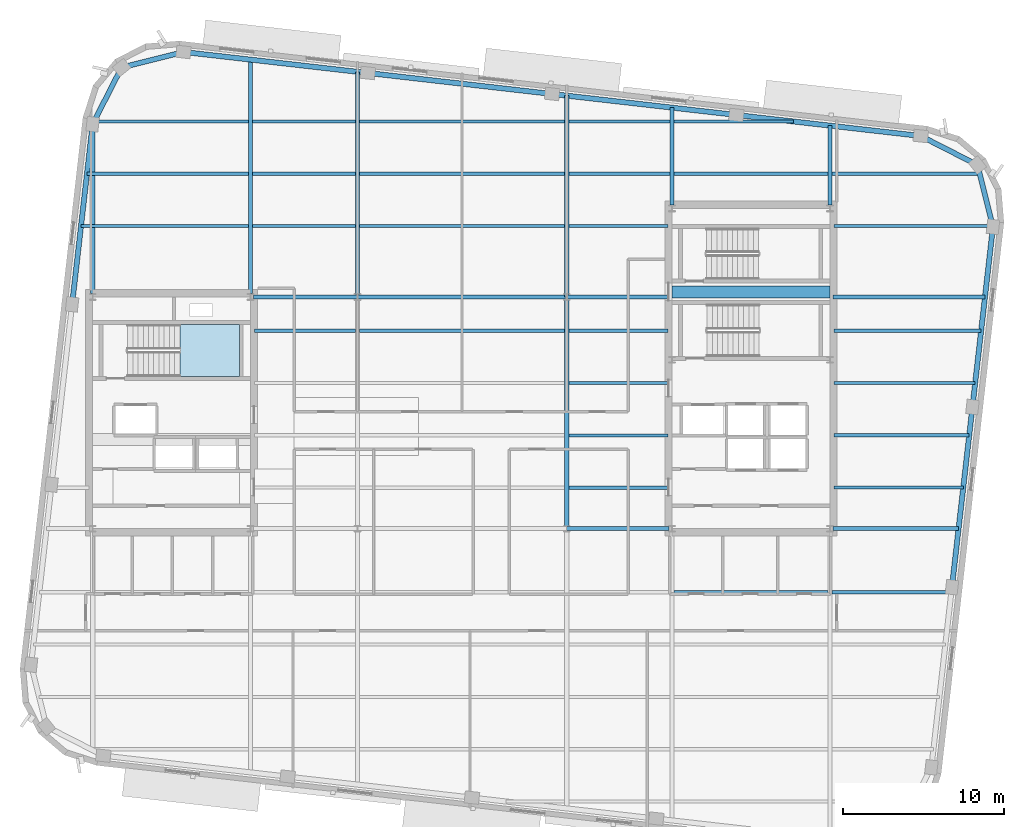
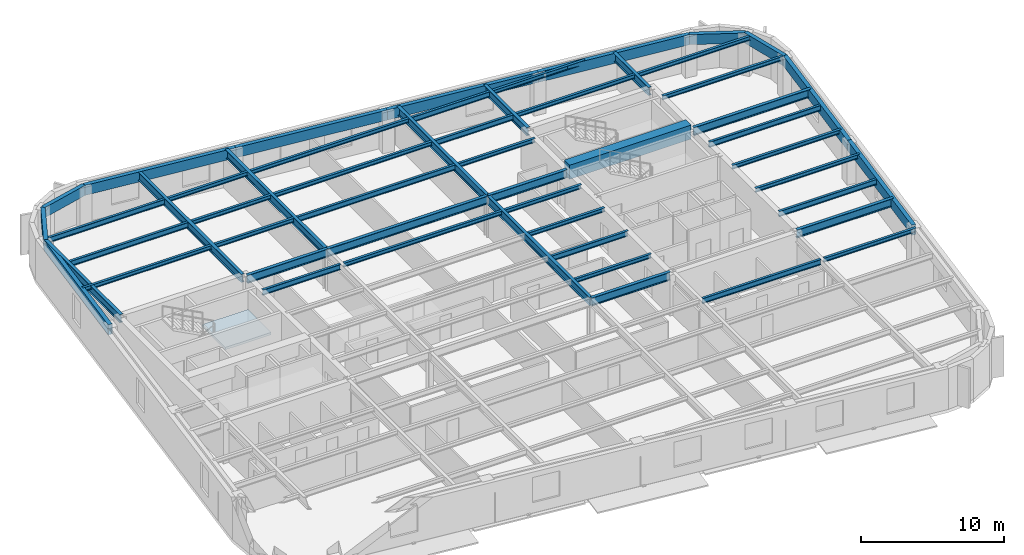
# One storey, part 4 of 14: 53 beams, 1 slab, 1 element without a shape of its own.
"""IFC4 building model written with IfcOpenShell, lengths in metres."""

from ifc_helpers import new_model, si_unit, direction, frame, origin, origin_2d, place, context, subcontext, project, spatial, polyline, rectangle, hollow_rectangle, i_section, outline, extrude, material, layer, layer_set, material_profile, profile_set, type_object, element, aggregate, save


model = new_model("IFC4")

# Units and contexts
model_context = context("Model", 3, precision=1e-05, world=origin(), true_north=direction((0.0, 1.0)))
body_context = subcontext(model_context, "Body", "Model", "MODEL_VIEW")
ifc_project = project(units=[si_unit("LENGTHUNIT", "METRE"), si_unit("AREAUNIT", "SQUARE_METRE"), si_unit("VOLUMEUNIT", "CUBIC_METRE"), si_unit("PLANEANGLEUNIT", "RADIAN"), si_unit("MASSUNIT", "GRAM", prefix="KILO")], contexts=[model_context])

# Site, building, storey
site_placement = place(None, origin())
site = spatial("IfcSite", under=ifc_project, at=site_placement, CompositionType="ELEMENT")
building_placement = place(site_placement, origin())
building = spatial("IfcBuilding", under=site, at=building_placement, Name="Kolvaren Arena Tower", CompositionType="ELEMENT")
storey_placement = place(building_placement, frame((0.0, 0.0, 224.699951171875)))
storey = spatial("IfcBuildingStorey", under=building, at=storey_placement, Name="L54", CompositionType="ELEMENT", Elevation=224.699951171875)

# Beams
ifc_material_1 = material(Name="Steel CSA G40.21 350W", Category="steel")
ifc_material_profile_1 = material_profile(ifc_material_1, i_section(OverallWidth=0.193115234375, OverallDepth=0.462890625, WebThickness=0.0107421875, FlangeThickness=0.0205078125, FilletRadius=0.012939453125, at=origin_2d()), Name="W460x113")
ifc_profile_set_1 = profile_set([ifc_material_profile_1], Name="Steel CSA G40.21 350W")
beam_type_1 = type_object("IfcBeamType", Name="BEAM-F2", PredefinedType="BEAM", material=ifc_profile_set_1)
beam_1_placement = place(storey_placement, frame((50.677490234375, 15.5, 3.24853515625), z_axis=(1.0, 0.0, 0.0), x_axis=(0.0, 1.0, 0.0)))
element("IfcBeam", 1, at=beam_1_placement, inside=storey, type_object=beam_type_1, Name="Composite Floor Beam (L54)", PredefinedType="BEAM", context=body_context, shape_type="SweptSolid", body=[
    extrude(i_section(OverallWidth=0.193115234375, OverallDepth=0.462890625, WebThickness=0.0107421875, FlangeThickness=0.0205078125, FilletRadius=0.012939453125, at=origin_2d()), origin(), (0.0, 0.0, 1.0), 9.544921875),
])
beam_2_placement = place(storey_placement, frame((60.594970703125, 22.0, 3.24853515625), z_axis=(1.0, 0.0, 0.0), x_axis=(0.0, 1.0, 0.0)))
element("IfcBeam", 2, at=beam_2_placement, inside=storey, type_object=beam_type_1, Name="Composite Floor Beam (L54)", PredefinedType="BEAM", context=body_context, shape_type="SweptSolid", body=[
    extrude(i_section(OverallWidth=0.193115234375, OverallDepth=0.462890625, WebThickness=0.0107421875, FlangeThickness=0.0205078125, FilletRadius=0.012939453125, at=origin_2d()), origin(), (0.0, 0.0, 1.0), 8.041015625),
])
beam_3_placement = place(storey_placement, frame((44.12744140625, 25.25, 3.24853515625), z_axis=(1.0, 0.0, 0.0), x_axis=(0.0, 1.0, 0.0)))
element("IfcBeam", 3, at=beam_3_placement, inside=storey, type_object=beam_type_1, Name="Composite Floor Beam (L54)", PredefinedType="BEAM", context=body_context, shape_type="SweptSolid", body=[
    extrude(i_section(OverallWidth=0.193115234375, OverallDepth=0.462890625, WebThickness=0.0107421875, FlangeThickness=0.0205078125, FilletRadius=0.012939453125, at=origin_2d()), origin(), (0.0, 0.0, 1.0), 6.177490234375),
])
beam_4_placement = place(storey_placement, frame((24.594970703125, 31.75, 3.24853515625), z_axis=(1.0, 0.0, 0.0), x_axis=(0.0, 1.0, 0.0)))
element("IfcBeam", 4, at=beam_4_placement, inside=storey, type_object=beam_type_1, Name="Composite Floor Beam (L54)", PredefinedType="BEAM", context=body_context, shape_type="SweptSolid", body=[
    extrude(i_section(OverallWidth=0.193115234375, OverallDepth=0.462890625, WebThickness=0.0107421875, FlangeThickness=0.0205078125, FilletRadius=0.012939453125, at=origin_2d()), origin(), (0.0, 0.0, 1.0), 6.277587890625),
])
beam_5_placement = place(storey_placement, frame((60.594970703125, 31.75, 3.24853515625), z_axis=(1.0, 0.0, 0.0), x_axis=(0.0, 1.0, 0.0)))
element("IfcBeam", 5, at=beam_5_placement, inside=storey, type_object=beam_type_1, Name="Composite Floor Beam (L54)", PredefinedType="BEAM", context=body_context, shape_type="SweptSolid", body=[
    extrude(i_section(OverallWidth=0.193115234375, OverallDepth=0.462890625, WebThickness=0.0107421875, FlangeThickness=0.0205078125, FilletRadius=0.012939453125, at=origin_2d()), origin(), (0.0, 0.0, 1.0), 9.15185546875),
])
beam_6_placement = place(storey_placement, frame((31.12744140625, 38.25, 3.24853515625), z_axis=(1.0, 0.0, 0.0), x_axis=(0.0, 1.0, 0.0)))
element("IfcBeam", 6, at=beam_6_placement, inside=storey, type_object=beam_type_1, Name="Composite Floor Beam (L54)", PredefinedType="BEAM", context=body_context, shape_type="SweptSolid", body=[
    extrude(i_section(OverallWidth=0.193115234375, OverallDepth=0.462890625, WebThickness=0.0107421875, FlangeThickness=0.0205078125, FilletRadius=0.012939453125, at=origin_2d()), origin(), (0.0, 0.0, 1.0), 12.7451171875),
])
beam_7_placement = place(storey_placement, frame((14.193359375, 41.5, 3.24853515625), z_axis=(1.0, 0.0, 0.0), x_axis=(0.0, 1.0, 0.0)))
element("IfcBeam", 7, at=beam_7_placement, inside=storey, type_object=beam_type_1, Name="Composite Floor Beam (L54)", PredefinedType="BEAM", context=body_context, shape_type="SweptSolid", body=[
    extrude(i_section(OverallWidth=0.193115234375, OverallDepth=0.462890625, WebThickness=0.0107421875, FlangeThickness=0.0205078125, FilletRadius=0.012939453125, at=origin_2d()), origin(), (0.0, 0.0, 1.0), 10.029052734375),
])
beam_8_placement = place(storey_placement, frame((44.12744140625, 41.5, 3.24853515625), z_axis=(1.0, 0.0, 0.0), x_axis=(0.0, 1.0, 0.0)))
element("IfcBeam", 8, at=beam_8_placement, inside=storey, type_object=beam_type_1, Name="Composite Floor Beam (L54)", PredefinedType="BEAM", context=body_context, shape_type="SweptSolid", body=[
    extrude(i_section(OverallWidth=0.193115234375, OverallDepth=0.462890625, WebThickness=0.0107421875, FlangeThickness=0.0205078125, FilletRadius=0.012939453125, at=origin_2d()), origin(), (0.0, 0.0, 1.0), 6.295166015625),
])
beam_9_placement = place(storey_placement, frame((14.632080078125, 44.75, 3.24853515625), z_axis=(1.0, 0.0, 0.0), x_axis=(0.0, 1.0, 0.0)))
element("IfcBeam", 9, at=beam_9_placement, inside=storey, type_object=beam_type_1, Name="Composite Floor Beam (L54)", PredefinedType="BEAM", context=body_context, shape_type="SweptSolid", body=[
    extrude(i_section(OverallWidth=0.193115234375, OverallDepth=0.462890625, WebThickness=0.0107421875, FlangeThickness=0.0205078125, FilletRadius=0.012939453125, at=origin_2d()), origin(), (0.0, 0.0, 1.0), 9.59033203125),
])
beam_10_placement = place(storey_placement, frame((44.12744140625, 44.75, 3.24853515625), z_axis=(1.0, 0.0, 0.0), x_axis=(0.0, 1.0, 0.0)))
element("IfcBeam", 10, at=beam_10_placement, inside=storey, type_object=beam_type_1, Name="Composite Floor Beam (L54)", PredefinedType="BEAM", context=body_context, shape_type="SweptSolid", body=[
    extrude(i_section(OverallWidth=0.193115234375, OverallDepth=0.462890625, WebThickness=0.0107421875, FlangeThickness=0.0205078125, FilletRadius=0.012939453125, at=origin_2d()), origin(), (0.0, 0.0, 1.0), 6.295166015625),
])
ifc_material_2 = material(Name="Concrete 60 MPa", Category="concrete")
ifc_material_profile_2 = material_profile(ifc_material_2, rectangle(XDim=0.75, YDim=1.199951171875, at=origin_2d()), Name="RC-750x1200")
ifc_profile_set_2 = profile_set([ifc_material_profile_2], Name="Concrete 60 MPa")
beam_type_2 = type_object("IfcBeamType", Name="CB-CORE-2", PredefinedType="BEAM", material=ifc_profile_set_2)
beam_11_placement = place(storey_placement, frame((50.550048828125, 34.14990234375, 3.150146484375), z_axis=(1.0, 0.0, 0.0), x_axis=(0.0, 1.0, 0.0)))
element("IfcBeam", 11, at=beam_11_placement, inside=storey, type_object=beam_type_2, Name="East Core Coupling Beam (L54)", PredefinedType="BEAM", context=body_context, shape_type="SweptSolid", body=[
    extrude(rectangle(XDim=0.75, YDim=1.199951171875, at=origin_2d()), origin(), (0.0, 0.0, 1.0), 9.800048828125),
])
ifc_material_profile_3 = material_profile(ifc_material_1, i_section(OverallWidth=0.2548828125, OverallDepth=0.695068359375, WebThickness=0.01708984375, FlangeThickness=0.02978515625, FilletRadius=0.01611328125, at=origin_2d()), Name="W690x217")
ifc_profile_set_3 = profile_set([ifc_material_profile_3], Name="Steel CSA G40.21 350W")
beam_type_3 = type_object("IfcBeamType", Name="GIRD-T2", PredefinedType="BEAM", material=ifc_profile_set_3)
beam_12_placement = place(storey_placement, frame((44.0, 19.449951171875, 3.132568359375), z_axis=(1.0, 0.0, 0.0), x_axis=(0.0, 1.0, 0.0)))
element("IfcBeam", 12, at=beam_12_placement, inside=storey, type_object=beam_type_3, Name="Primary Floor Girder (L54)", PredefinedType="BEAM", context=body_context, shape_type="SweptSolid", body=[
    extrude(i_section(OverallWidth=0.2548828125, OverallDepth=0.695068359375, WebThickness=0.01708984375, FlangeThickness=0.02978515625, FilletRadius=0.01611328125, at=origin_2d()), origin(), (0.0, 0.0, 1.0), 6.344970703125),
])
beam_13_placement = place(storey_placement, frame((60.554931640625, 19.449951171875, 3.132568359375), z_axis=(1.0, 0.0, 0.0), x_axis=(0.0, 1.0, 0.0)))
element("IfcBeam", 13, at=beam_13_placement, inside=storey, type_object=beam_type_3, Name="Primary Floor Girder (L54)", PredefinedType="BEAM", context=body_context, shape_type="SweptSolid", body=[
    extrude(i_section(OverallWidth=0.2548828125, OverallDepth=0.695068359375, WebThickness=0.01708984375, FlangeThickness=0.02978515625, FilletRadius=0.01611328125, at=origin_2d()), origin(), (0.0, 0.0, 1.0), 7.790283203125),
])
beam_14_placement = place(storey_placement, frame((24.554931640625, 33.85009765625, 3.132568359375), z_axis=(1.0, 0.0, 0.0), x_axis=(0.0, 1.0, 0.0)))
element("IfcBeam", 14, at=beam_14_placement, inside=storey, type_object=beam_type_3, Name="Primary Floor Girder (L54)", PredefinedType="BEAM", context=body_context, shape_type="SweptSolid", body=[
    extrude(i_section(OverallWidth=0.2548828125, OverallDepth=0.695068359375, WebThickness=0.01708984375, FlangeThickness=0.02978515625, FilletRadius=0.01611328125, at=origin_2d()), origin(), (0.0, 0.0, 1.0), 6.445068359375),
])
beam_15_placement = place(storey_placement, frame((31.0, 33.85009765625, 3.132568359375), z_axis=(1.0, 0.0, 0.0), x_axis=(0.0, 1.0, 0.0)))
element("IfcBeam", 15, at=beam_15_placement, inside=storey, type_object=beam_type_3, Name="Primary Floor Girder (L54)", PredefinedType="BEAM", context=body_context, shape_type="SweptSolid", body=[
    extrude(i_section(OverallWidth=0.2548828125, OverallDepth=0.695068359375, WebThickness=0.01708984375, FlangeThickness=0.02978515625, FilletRadius=0.01611328125, at=origin_2d()), origin(), (0.0, 0.0, 1.0), 13.0),
])
beam_16_placement = place(storey_placement, frame((44.0, 33.85009765625, 3.132568359375), z_axis=(1.0, 0.0, 0.0), x_axis=(0.0, 1.0, 0.0)))
element("IfcBeam", 16, at=beam_16_placement, inside=storey, type_object=beam_type_3, Name="Primary Floor Girder (L54)", PredefinedType="BEAM", context=body_context, shape_type="SweptSolid", body=[
    extrude(i_section(OverallWidth=0.2548828125, OverallDepth=0.695068359375, WebThickness=0.01708984375, FlangeThickness=0.02978515625, FilletRadius=0.01611328125, at=origin_2d()), origin(), (0.0, 0.0, 1.0), 6.344970703125),
])
beam_17_placement = place(storey_placement, frame((60.554931640625, 33.85009765625, 3.132568359375), z_axis=(1.0, 0.0, 0.0), x_axis=(0.0, 1.0, 0.0)))
element("IfcBeam", 17, at=beam_17_placement, inside=storey, type_object=beam_type_3, Name="Primary Floor Girder (L54)", PredefinedType="BEAM", context=body_context, shape_type="SweptSolid", body=[
    extrude(i_section(OverallWidth=0.2548828125, OverallDepth=0.695068359375, WebThickness=0.01708984375, FlangeThickness=0.02978515625, FilletRadius=0.01611328125, at=origin_2d()), origin(), (0.0, 0.0, 1.0), 9.43115234375),
])
beam_18_placement = place(storey_placement, frame((14.550048828125, 34.054931640625, 3.132568359375), z_axis=(0.0, 1.0, 0.0), x_axis=(-1.0, 0.0, 0.0)))
element("IfcBeam", 18, at=beam_18_placement, inside=storey, type_object=beam_type_3, Name="Primary Floor Girder (L54)", PredefinedType="BEAM", context=body_context, shape_type="SweptSolid", body=[
    extrude(i_section(OverallWidth=0.2548828125, OverallDepth=0.695068359375, WebThickness=0.01708984375, FlangeThickness=0.02978515625, FilletRadius=0.01611328125, at=origin_2d()), origin(), (0.0, 0.0, 1.0), 10.53466796875),
])
beam_19_placement = place(storey_placement, frame((24.35009765625, 34.054931640625, 3.132568359375), z_axis=(0.0, 1.0, 0.0), x_axis=(-1.0, 0.0, 0.0)))
element("IfcBeam", 19, at=beam_19_placement, inside=storey, type_object=beam_type_3, Name="Primary Floor Girder (L54)", PredefinedType="BEAM", context=body_context, shape_type="SweptSolid", body=[
    extrude(i_section(OverallWidth=0.2548828125, OverallDepth=0.695068359375, WebThickness=0.01708984375, FlangeThickness=0.02978515625, FilletRadius=0.01611328125, at=origin_2d()), origin(), (0.0, 0.0, 1.0), 14.538818359375),
])
beam_20_placement = place(storey_placement, frame((31.0, 33.85009765625, 3.132568359375), z_axis=(0.0, 1.0, 0.0), x_axis=(-1.0, 0.0, 0.0)))
element("IfcBeam", 20, at=beam_20_placement, inside=storey, type_object=beam_type_3, Name="Primary Floor Girder (L54)", PredefinedType="BEAM", context=body_context, shape_type="SweptSolid", body=[
    extrude(i_section(OverallWidth=0.2548828125, OverallDepth=0.695068359375, WebThickness=0.01708984375, FlangeThickness=0.02978515625, FilletRadius=0.01611328125, at=origin_2d()), origin(), (0.0, 0.0, 1.0), 13.986083984375),
])
beam_21_placement = place(storey_placement, frame((44.0, 19.449951171875, 3.132568359375), z_axis=(0.0, 1.0, 0.0), x_axis=(-1.0, 0.0, 0.0)))
element("IfcBeam", 21, at=beam_21_placement, inside=storey, type_object=beam_type_3, Name="Primary Floor Girder (L54)", PredefinedType="BEAM", context=body_context, shape_type="SweptSolid", body=[
    extrude(i_section(OverallWidth=0.2548828125, OverallDepth=0.695068359375, WebThickness=0.01708984375, FlangeThickness=0.02978515625, FilletRadius=0.01611328125, at=origin_2d()), origin(), (0.0, 0.0, 1.0), 14.400146484375),
])
beam_22_placement = place(storey_placement, frame((44.0, 33.85009765625, 3.132568359375), z_axis=(0.0, 1.0, 0.0), x_axis=(-1.0, 0.0, 0.0)))
element("IfcBeam", 22, at=beam_22_placement, inside=storey, type_object=beam_type_3, Name="Primary Floor Girder (L54)", PredefinedType="BEAM", context=body_context, shape_type="SweptSolid", body=[
    extrude(i_section(OverallWidth=0.2548828125, OverallDepth=0.695068359375, WebThickness=0.01708984375, FlangeThickness=0.02978515625, FilletRadius=0.01611328125, at=origin_2d()), origin(), (0.0, 0.0, 1.0), 12.5048828125),
])
beam_23_placement = place(storey_placement, frame((50.550048828125, 39.554931640625, 3.132568359375), z_axis=(0.0, 1.0, 0.0), x_axis=(-1.0, 0.0, 0.0)))
element("IfcBeam", 23, at=beam_23_placement, inside=storey, type_object=beam_type_3, Name="Primary Floor Girder (L54)", PredefinedType="BEAM", context=body_context, shape_type="SweptSolid", body=[
    extrude(i_section(OverallWidth=0.2548828125, OverallDepth=0.695068359375, WebThickness=0.01708984375, FlangeThickness=0.02978515625, FilletRadius=0.01611328125, at=origin_2d()), origin(), (0.0, 0.0, 1.0), 6.0537109375),
])
beam_24_placement = place(storey_placement, frame((60.35009765625, 39.554931640625, 3.132568359375), z_axis=(0.0, 1.0, 0.0), x_axis=(-1.0, 0.0, 0.0)))
element("IfcBeam", 24, at=beam_24_placement, inside=storey, type_object=beam_type_3, Name="Primary Floor Girder (L54)", PredefinedType="BEAM", context=body_context, shape_type="SweptSolid", body=[
    extrude(i_section(OverallWidth=0.2548828125, OverallDepth=0.695068359375, WebThickness=0.01708984375, FlangeThickness=0.02978515625, FilletRadius=0.01611328125, at=origin_2d()), origin(), (0.0, 0.0, 1.0), 4.937255859375),
])
ifc_material_profile_4 = material_profile(ifc_material_1, i_section(OverallWidth=0.202880859375, OverallDepth=0.346923828125, WebThickness=0.0078125, FlangeThickness=0.013427734375, FilletRadius=0.010986328125, at=origin_2d()), Name="W360x64")
ifc_profile_set_4 = profile_set([ifc_material_profile_4], Name="Steel CSA G40.21 350W")
beam_type_4 = type_object("IfcBeamType", Name="JOIST-01", PredefinedType="JOIST", material=ifc_profile_set_4)
beam_25_placement = place(storey_placement, frame((60.4775390625, 15.5, 3.306640625), z_axis=(1.0, 0.0, 0.0), x_axis=(0.0, 1.0, 0.0)))
element("IfcBeam", 25, at=beam_25_placement, inside=storey, type_object=beam_type_4, Name="Composite Floor Joist (L54)", PredefinedType="JOIST", context=body_context, shape_type="SweptSolid", body=[
    extrude(i_section(OverallWidth=0.202880859375, OverallDepth=0.346923828125, WebThickness=0.0078125, FlangeThickness=0.013427734375, FilletRadius=0.010986328125, at=origin_2d()), origin(), (0.0, 0.0, 1.0), 7.417724609375),
])
beam_26_placement = place(storey_placement, frame((44.12744140625, 22.0, 3.306640625), z_axis=(1.0, 0.0, 0.0), x_axis=(0.0, 1.0, 0.0)))
element("IfcBeam", 26, at=beam_26_placement, inside=storey, type_object=beam_type_4, Name="Composite Floor Joist (L54)", PredefinedType="JOIST", context=body_context, shape_type="SweptSolid", body=[
    extrude(i_section(OverallWidth=0.202880859375, OverallDepth=0.346923828125, WebThickness=0.0078125, FlangeThickness=0.013427734375, FilletRadius=0.010986328125, at=origin_2d()), origin(), (0.0, 0.0, 1.0), 6.177490234375),
])
beam_27_placement = place(storey_placement, frame((60.594970703125, 25.25, 3.306640625), z_axis=(1.0, 0.0, 0.0), x_axis=(0.0, 1.0, 0.0)))
element("IfcBeam", 27, at=beam_27_placement, inside=storey, type_object=beam_type_4, Name="Composite Floor Joist (L54)", PredefinedType="JOIST", context=body_context, shape_type="SweptSolid", body=[
    extrude(i_section(OverallWidth=0.202880859375, OverallDepth=0.346923828125, WebThickness=0.0078125, FlangeThickness=0.013427734375, FilletRadius=0.010986328125, at=origin_2d()), origin(), (0.0, 0.0, 1.0), 8.4111328125),
])
beam_28_placement = place(storey_placement, frame((44.12744140625, 28.5, 3.306640625), z_axis=(1.0, 0.0, 0.0), x_axis=(0.0, 1.0, 0.0)))
element("IfcBeam", 28, at=beam_28_placement, inside=storey, type_object=beam_type_4, Name="Composite Floor Joist (L54)", PredefinedType="JOIST", context=body_context, shape_type="SweptSolid", body=[
    extrude(i_section(OverallWidth=0.202880859375, OverallDepth=0.346923828125, WebThickness=0.0078125, FlangeThickness=0.013427734375, FilletRadius=0.010986328125, at=origin_2d()), origin(), (0.0, 0.0, 1.0), 6.177490234375),
])
beam_29_placement = place(storey_placement, frame((60.594970703125, 28.5, 3.306640625), z_axis=(1.0, 0.0, 0.0), x_axis=(0.0, 1.0, 0.0)))
element("IfcBeam", 29, at=beam_29_placement, inside=storey, type_object=beam_type_4, Name="Composite Floor Joist (L54)", PredefinedType="JOIST", context=body_context, shape_type="SweptSolid", body=[
    extrude(i_section(OverallWidth=0.202880859375, OverallDepth=0.346923828125, WebThickness=0.0078125, FlangeThickness=0.013427734375, FilletRadius=0.010986328125, at=origin_2d()), origin(), (0.0, 0.0, 1.0), 8.781494140625),
])
beam_30_placement = place(storey_placement, frame((31.12744140625, 31.75, 3.306640625), z_axis=(1.0, 0.0, 0.0), x_axis=(0.0, 1.0, 0.0)))
element("IfcBeam", 30, at=beam_30_placement, inside=storey, type_object=beam_type_4, Name="Composite Floor Joist (L54)", PredefinedType="JOIST", context=body_context, shape_type="SweptSolid", body=[
    extrude(i_section(OverallWidth=0.202880859375, OverallDepth=0.346923828125, WebThickness=0.0078125, FlangeThickness=0.013427734375, FilletRadius=0.010986328125, at=origin_2d()), origin(), (0.0, 0.0, 1.0), 12.7451171875),
])
beam_31_placement = place(storey_placement, frame((44.12744140625, 31.75, 3.306640625), z_axis=(1.0, 0.0, 0.0), x_axis=(0.0, 1.0, 0.0)))
element("IfcBeam", 31, at=beam_31_placement, inside=storey, type_object=beam_type_4, Name="Composite Floor Joist (L54)", PredefinedType="JOIST", context=body_context, shape_type="SweptSolid", body=[
    extrude(i_section(OverallWidth=0.202880859375, OverallDepth=0.346923828125, WebThickness=0.0078125, FlangeThickness=0.013427734375, FilletRadius=0.010986328125, at=origin_2d()), origin(), (0.0, 0.0, 1.0), 6.177490234375),
])
beam_32_placement = place(storey_placement, frame((13.822998046875, 38.25, 3.306640625), z_axis=(1.0, 0.0, 0.0), x_axis=(0.0, 1.0, 0.0)))
element("IfcBeam", 32, at=beam_32_placement, inside=storey, type_object=beam_type_4, Name="Composite Floor Joist (L54)", PredefinedType="JOIST", context=body_context, shape_type="SweptSolid", body=[
    extrude(i_section(OverallWidth=0.202880859375, OverallDepth=0.346923828125, WebThickness=0.0078125, FlangeThickness=0.013427734375, FilletRadius=0.010986328125, at=origin_2d()), origin(), (0.0, 0.0, 1.0), 10.3994140625),
])
beam_33_placement = place(storey_placement, frame((24.4775390625, 38.25, 3.306640625), z_axis=(1.0, 0.0, 0.0), x_axis=(0.0, 1.0, 0.0)))
element("IfcBeam", 33, at=beam_33_placement, inside=storey, type_object=beam_type_4, Name="Composite Floor Joist (L54)", PredefinedType="JOIST", context=body_context, shape_type="SweptSolid", body=[
    extrude(i_section(OverallWidth=0.202880859375, OverallDepth=0.346923828125, WebThickness=0.0078125, FlangeThickness=0.013427734375, FilletRadius=0.010986328125, at=origin_2d()), origin(), (0.0, 0.0, 1.0), 6.39501953125),
])
beam_34_placement = place(storey_placement, frame((44.12744140625, 38.25, 3.306640625), z_axis=(1.0, 0.0, 0.0), x_axis=(0.0, 1.0, 0.0)))
element("IfcBeam", 34, at=beam_34_placement, inside=storey, type_object=beam_type_4, Name="Composite Floor Joist (L54)", PredefinedType="JOIST", context=body_context, shape_type="SweptSolid", body=[
    extrude(i_section(OverallWidth=0.202880859375, OverallDepth=0.346923828125, WebThickness=0.0078125, FlangeThickness=0.013427734375, FilletRadius=0.010986328125, at=origin_2d()), origin(), (0.0, 0.0, 1.0), 6.177490234375),
])
beam_35_placement = place(storey_placement, frame((60.594970703125, 38.25, 3.306640625), z_axis=(1.0, 0.0, 0.0), x_axis=(0.0, 1.0, 0.0)))
element("IfcBeam", 35, at=beam_35_placement, inside=storey, type_object=beam_type_4, Name="Composite Floor Joist (L54)", PredefinedType="JOIST", context=body_context, shape_type="SweptSolid", body=[
    extrude(i_section(OverallWidth=0.202880859375, OverallDepth=0.346923828125, WebThickness=0.0078125, FlangeThickness=0.013427734375, FilletRadius=0.010986328125, at=origin_2d()), origin(), (0.0, 0.0, 1.0), 9.8759765625),
])
beam_36_placement = place(storey_placement, frame((24.4775390625, 41.5, 3.306640625), z_axis=(1.0, 0.0, 0.0), x_axis=(0.0, 1.0, 0.0)))
element("IfcBeam", 36, at=beam_36_placement, inside=storey, type_object=beam_type_4, Name="Composite Floor Joist (L54)", PredefinedType="JOIST", context=body_context, shape_type="SweptSolid", body=[
    extrude(i_section(OverallWidth=0.202880859375, OverallDepth=0.346923828125, WebThickness=0.0078125, FlangeThickness=0.013427734375, FilletRadius=0.010986328125, at=origin_2d()), origin(), (0.0, 0.0, 1.0), 6.39501953125),
])
beam_37_placement = place(storey_placement, frame((31.12744140625, 41.5, 3.306640625), z_axis=(1.0, 0.0, 0.0), x_axis=(0.0, 1.0, 0.0)))
element("IfcBeam", 37, at=beam_37_placement, inside=storey, type_object=beam_type_4, Name="Composite Floor Joist (L54)", PredefinedType="JOIST", context=body_context, shape_type="SweptSolid", body=[
    extrude(i_section(OverallWidth=0.202880859375, OverallDepth=0.346923828125, WebThickness=0.0078125, FlangeThickness=0.013427734375, FilletRadius=0.010986328125, at=origin_2d()), origin(), (0.0, 0.0, 1.0), 12.7451171875),
])
beam_38_placement = place(storey_placement, frame((50.677490234375, 41.5, 3.306640625), z_axis=(1.0, 0.0, 0.0), x_axis=(0.0, 1.0, 0.0)))
element("IfcBeam", 38, at=beam_38_placement, inside=storey, type_object=beam_type_4, Name="Composite Floor Joist (L54)", PredefinedType="JOIST", context=body_context, shape_type="SweptSolid", body=[
    extrude(i_section(OverallWidth=0.202880859375, OverallDepth=0.346923828125, WebThickness=0.0078125, FlangeThickness=0.013427734375, FilletRadius=0.010986328125, at=origin_2d()), origin(), (0.0, 0.0, 1.0), 9.544921875),
])
beam_39_placement = place(storey_placement, frame((60.4775390625, 41.5, 3.306640625), z_axis=(1.0, 0.0, 0.0), x_axis=(0.0, 1.0, 0.0)))
element("IfcBeam", 39, at=beam_39_placement, inside=storey, type_object=beam_type_4, Name="Composite Floor Joist (L54)", PredefinedType="JOIST", context=body_context, shape_type="SweptSolid", body=[
    extrude(i_section(OverallWidth=0.202880859375, OverallDepth=0.346923828125, WebThickness=0.0078125, FlangeThickness=0.013427734375, FilletRadius=0.010986328125, at=origin_2d()), origin(), (0.0, 0.0, 1.0), 9.17919921875),
])
beam_40_placement = place(storey_placement, frame((24.4775390625, 44.75, 3.306640625), z_axis=(1.0, 0.0, 0.0), x_axis=(0.0, 1.0, 0.0)))
element("IfcBeam", 40, at=beam_40_placement, inside=storey, type_object=beam_type_4, Name="Composite Floor Joist (L54)", PredefinedType="JOIST", context=body_context, shape_type="SweptSolid", body=[
    extrude(i_section(OverallWidth=0.202880859375, OverallDepth=0.346923828125, WebThickness=0.0078125, FlangeThickness=0.013427734375, FilletRadius=0.010986328125, at=origin_2d()), origin(), (0.0, 0.0, 1.0), 6.39501953125),
])
beam_41_placement = place(storey_placement, frame((31.12744140625, 44.75, 3.306640625), z_axis=(1.0, 0.0, 0.0), x_axis=(0.0, 1.0, 0.0)))
element("IfcBeam", 41, at=beam_41_placement, inside=storey, type_object=beam_type_4, Name="Composite Floor Joist (L54)", PredefinedType="JOIST", context=body_context, shape_type="SweptSolid", body=[
    extrude(i_section(OverallWidth=0.202880859375, OverallDepth=0.346923828125, WebThickness=0.0078125, FlangeThickness=0.013427734375, FilletRadius=0.010986328125, at=origin_2d()), origin(), (0.0, 0.0, 1.0), 12.7451171875),
])
beam_42_placement = place(storey_placement, frame((50.677490234375, 44.75, 3.306640625), z_axis=(1.0, 0.0, 0.0), x_axis=(0.0, 1.0, 0.0)))
element("IfcBeam", 42, at=beam_42_placement, inside=storey, type_object=beam_type_4, Name="Composite Floor Joist (L54)", PredefinedType="JOIST", context=body_context, shape_type="SweptSolid", body=[
    extrude(i_section(OverallWidth=0.202880859375, OverallDepth=0.346923828125, WebThickness=0.0078125, FlangeThickness=0.013427734375, FilletRadius=0.010986328125, at=origin_2d()), origin(), (0.0, 0.0, 1.0), 7.40869140625),
])
ifc_material_3 = material(Name="Steel CSA G40.21 350WT", Category="steel")
ifc_material_profile_5 = material_profile(ifc_material_3, hollow_rectangle(XDim=0.320068359375, YDim=0.860107421875, WallThickness=0.01806640625, at=origin_2d()), Name="HSS 860x320x18")
ifc_profile_set_5 = profile_set([ifc_material_profile_5], Name="Steel CSA G40.21 350WT")
beam_type_5 = type_object("IfcBeamType", Name="SPAND-02", PredefinedType="SPANDREL", material=ifc_profile_set_5)
beam_43_placement = place(storey_placement, frame((67.931396484375, 15.816162109375, 3.050048828125), z_axis=(0.113199459318, 0.993572283435, 0.0), x_axis=(-0.993572283435, 0.113199459318, 0.0)))
element("IfcBeam", 43, at=beam_43_placement, inside=storey, type_object=beam_type_5, Name="Perimeter Spandrel Beam (L54)", PredefinedType="SPANDREL", context=body_context, shape_type="SweptSolid", body=[
    extrude(hollow_rectangle(XDim=0.320068359375, YDim=0.860107421875, WallThickness=0.01806640625, at=origin_2d()), origin(), (0.0, 0.0, 1.0), 11.266845703125),
])
beam_44_placement = place(storey_placement, frame((69.206787109375, 27.010498046875, 3.050048828125), z_axis=(0.113201896536, 0.993572005755, 0.0), x_axis=(-0.993572005755, 0.113201896536, 0.0)))
element("IfcBeam", 44, at=beam_44_placement, inside=storey, type_object=beam_type_5, Name="Perimeter Spandrel Beam (L54)", PredefinedType="SPANDREL", context=body_context, shape_type="SweptSolid", body=[
    extrude(hollow_rectangle(XDim=0.320068359375, YDim=0.860107421875, WallThickness=0.01806640625, at=origin_2d()), origin(), (0.0, 0.0, 1.0), 11.2666015625),
])
for number, where, z_axis, x_axis, name in (
    (45, (70.482177734375, 38.20458984375, 3.050048828125), (-0.242956154878, 0.970037270834, 0.0), (-0.970037270834, -0.242956154878, 0.0), "Perimeter Spandrel Beam (L54)"),
    (46, (69.519775390625, 42.047119140625, 3.050048828125), (-0.890535676656, 0.454913407807, 0.0), (-0.454913407807, -0.890535676656, 0.0), "Perimeter Spandrel Beam (L54)"),
):
    element("IfcBeam", number, at=place(storey_placement, frame(where, z_axis=z_axis, x_axis=x_axis)), inside=storey, type_object=beam_type_5, Name=name, PredefinedType="SPANDREL", context=body_context, shape_type="SweptSolid", body=[
        extrude(hollow_rectangle(XDim=0.320068359375, YDim=0.860107421875, WallThickness=0.01806640625, at=origin_2d()), origin(), (0.0, 0.0, 1.0), 3.961181640625),
    ])
beam_45_placement = place(storey_placement, frame((65.9921875, 43.84912109375, 3.050048828125), z_axis=(-0.993571397957, 0.113207231049, 0.0), x_axis=(-0.113207231049, -0.993571397957, 0.0)))
element("IfcBeam", 47, at=beam_45_placement, inside=storey, type_object=beam_type_5, Name="Perimeter Spandrel Beam (L54)", PredefinedType="SPANDREL", context=body_context, shape_type="SweptSolid", body=[
    extrude(hollow_rectangle(XDim=0.320068359375, YDim=0.860107421875, WallThickness=0.01806640625, at=origin_2d()), origin(), (0.0, 0.0, 1.0), 11.524658203125),
])
for number, where, z_axis, x_axis, name in (
    (48, (54.54150390625, 45.15380859375, 3.050048828125), (-0.99357166944, 0.113204848336, 0.0), (-0.113204848336, -0.99357166944, 0.0), "Perimeter Spandrel Beam (L54)"),
    (49, (43.090576171875, 46.45849609375, 3.050048828125), (-0.99357166944, 0.113204848336, 0.0), (-0.113204848336, -0.99357166944, 0.0), "Perimeter Spandrel Beam (L54)"),
    (50, (31.6396484375, 47.76318359375, 3.050048828125), (-0.99357166944, 0.113204848336, 0.0), (-0.113204848336, -0.99357166944, 0.0), "Perimeter Spandrel Beam (L54)"),
):
    element("IfcBeam", number, at=place(storey_placement, frame(where, z_axis=z_axis, x_axis=x_axis)), inside=storey, type_object=beam_type_5, Name=name, PredefinedType="SPANDREL", context=body_context, shape_type="SweptSolid", body=[
        extrude(hollow_rectangle(XDim=0.320068359375, YDim=0.860107421875, WallThickness=0.01806640625, at=origin_2d()), origin(), (0.0, 0.0, 1.0), 11.52490234375),
    ])
for number, where, z_axis, x_axis, name in (
    (51, (20.188720703125, 49.06787109375, 3.050048828125), (-0.970037270834, -0.242956154878, 0.0), (0.242956154878, -0.970037270834, 0.0), "Perimeter Spandrel Beam (L54)"),
    (52, (16.34619140625, 48.10546875, 3.050048828125), (-0.454913407807, -0.890535676656, 0.0), (0.890535676656, -0.454913407807, 0.0), "Perimeter Spandrel Beam (L54)"),
):
    element("IfcBeam", number, at=place(storey_placement, frame(where, z_axis=z_axis, x_axis=x_axis)), inside=storey, type_object=beam_type_5, Name=name, PredefinedType="SPANDREL", context=body_context, shape_type="SweptSolid", body=[
        extrude(hollow_rectangle(XDim=0.320068359375, YDim=0.860107421875, WallThickness=0.01806640625, at=origin_2d()), origin(), (0.0, 0.0, 1.0), 3.961181640625),
    ])
beam_46_placement = place(storey_placement, frame((14.544189453125, 44.577880859375, 3.050048828125), z_axis=(-0.113201896536, -0.993572005755, 0.0), x_axis=(0.993572005755, -0.113201896536, 0.0)))
element("IfcBeam", 53, at=beam_46_placement, inside=storey, type_object=beam_type_5, Name="Perimeter Spandrel Beam (L54)", PredefinedType="SPANDREL", context=body_context, shape_type="SweptSolid", body=[
    extrude(hollow_rectangle(XDim=0.320068359375, YDim=0.860107421875, WallThickness=0.01806640625, at=origin_2d()), origin(), (0.0, 0.0, 1.0), 11.2666015625),
])

# Stair, slab
ifc_material_4 = material(Name="Concrete 45 MPa", Category="concrete")
stair_type = type_object("IfcStairType", Name="STAIR-CORE-165", PredefinedType="HALF_TURN_STAIR", material=ifc_material_4)
stair_placement = place(storey_placement, origin())
stair = element("IfcStair", 54, at=stair_placement, inside=storey, type_object=stair_type, Name="L54 ST-W1", PredefinedType="HALF_TURN_STAIR")
ifc_layer = layer(ifc_material_4, 0.199951171875)
ifc_layer_set = layer_set([ifc_layer], Name="Concrete 45 MPa")
slab_type = type_object("IfcSlabType", Name="SLAB-LAND", PredefinedType="LANDING", material=ifc_layer_set)
slab_placement = place(storey_placement, frame((0.0, 0.0, 1.675048828125)))
slab = element("IfcSlab", 55, at=slab_placement, type_object=slab_type, Name="ST-W1 landing 1", PredefinedType="LANDING", context=body_context, shape_type="SweptSolid", body=[
    extrude(outline(polyline([(19.9599609375, 28.89990234375), (23.659912109375, 28.89990234375), (23.659912109375, 32.1298828125), (19.9599609375, 32.1298828125), (19.9599609375, 28.89990234375)])), origin(), (0.0, 0.0, 1.0), 0.199951171875),
])
aggregate(stair, [slab])

save(model, "model.ifc")
